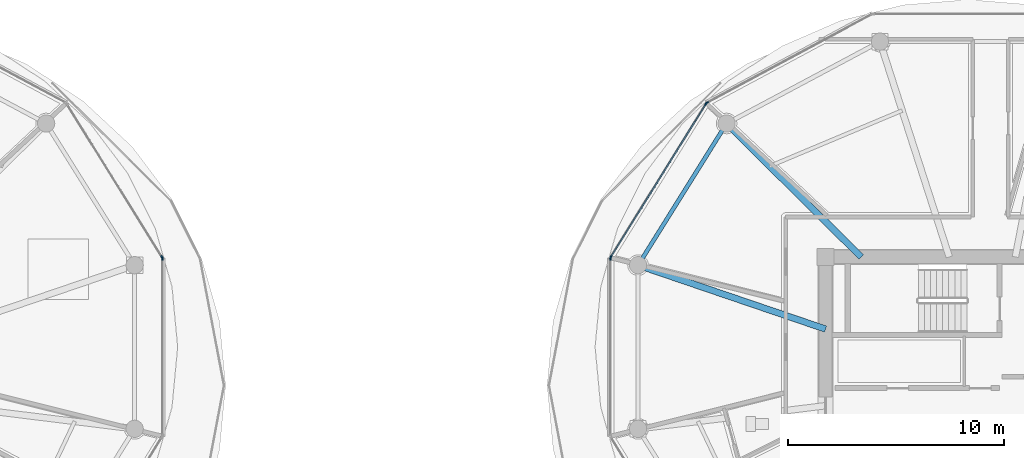
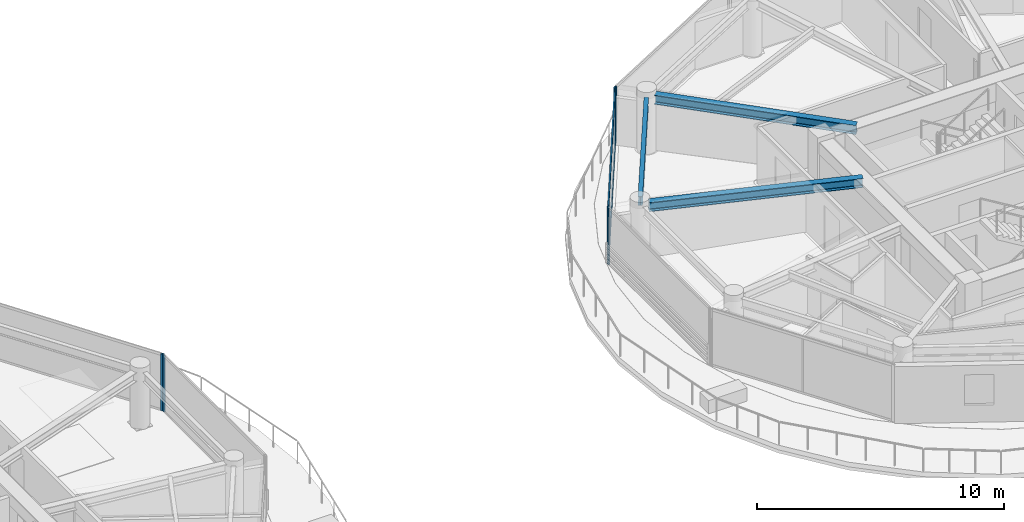
# One storey, part 7 of 28: 8 members, 3 beams, 5 elements without a shape of their own.
"""IFC4 building model written with IfcOpenShell, lengths in metres."""

from ifc_helpers import new_model, si_unit, direction, frame, origin, origin_2d, place, context, subcontext, project, spatial, rectangle, i_section, extrude, source, transform, mapped, material, layer, layer_set, material_profile, profile_set, type_object, type_shapes, element, aggregate, save


model = new_model("IFC4")

# Units and contexts
model_context = context("Model", 3, precision=1e-05, world=origin(), true_north=direction((0.0, 1.0)))
body_context = subcontext(model_context, "Body", "Model", "MODEL_VIEW")
ifc_project = project(units=[si_unit("LENGTHUNIT", "METRE"), si_unit("AREAUNIT", "SQUARE_METRE"), si_unit("VOLUMEUNIT", "CUBIC_METRE"), si_unit("PLANEANGLEUNIT", "RADIAN"), si_unit("MASSUNIT", "GRAM", prefix="KILO")], contexts=[model_context])

# Site, building, storey
site_placement = place(None, origin())
site = spatial("IfcSite", under=ifc_project, at=site_placement, CompositionType="ELEMENT")
building_placement = place(site_placement, origin())
building = spatial("IfcBuilding", under=site, at=building_placement, Name="Norrkilde Senior Care Towers", CompositionType="ELEMENT")
storey_placement = place(building_placement, frame((0.0, 0.0, 134.300048828125)))
storey = spatial("IfcBuildingStorey", under=building, at=storey_placement, Name="L41", CompositionType="ELEMENT", Elevation=134.300048828125)

# Beams
ifc_material_1 = material(Name="Steel S355", Category="steel")
ifc_material_profile_1 = material_profile(ifc_material_1, i_section(OverallWidth=0.18994140625, OverallDepth=0.449951171875, WebThickness=0.009521484375, FlangeThickness=0.0146484375, FilletRadius=0.02099609375, at=origin_2d()), Name="IPE 450")
ifc_profile_set_1 = profile_set([ifc_material_profile_1], Name="Steel S355")
beam_type_1 = type_object("IfcBeamType", Name="Perimeter Ring Spandrel Z3 IPE450", PredefinedType="SPANDREL", material=ifc_profile_set_1)
shared_shape_1 = source(origin(), body_context, "Body", "SweptSolid", [
    extrude(i_section(OverallWidth=0.18994140625, OverallDepth=0.449951171875, WebThickness=0.009521484375, FlangeThickness=0.0146484375, FilletRadius=0.02099609375, at=origin_2d()), origin(), (0.0, 0.0, 1.0), 7.0234375),
])
type_shapes(beam_type_1, [shared_shape_1])
beam_1_placement = place(storey_placement, frame((15.57666015625, 11.8291015625, 2.5849609375), z_axis=(-0.529789577822, -0.848129119433, 0.0), x_axis=(0.848129119433, -0.529789577822, 0.0)))
element("IfcBeam", 1, at=beam_1_placement, inside=storey, type_object=beam_type_1, Name="L41 Drum E Perimeter Spandrel 05", PredefinedType="SPANDREL", context=body_context, shape_type="MappedRepresentation", body=[
    mapped(shared_shape_1, transform((0.0, 0.0, 0.0), x_axis=(1.0, 0.0, 0.0), y_axis=(0.0, 1.0, 0.0), z_axis=(0.0, 0.0, 1.0), scale=1.0)),
])
ifc_material_profile_2 = material_profile(ifc_material_1, i_section(OverallWidth=0.300048828125, OverallDepth=0.449951171875, WebThickness=0.013916015625, FlangeThickness=0.02587890625, FilletRadius=0.027099609375, at=origin_2d()), Name="HEB 450")
ifc_profile_set_2 = profile_set([ifc_material_profile_2], Name="Steel S355")
beam_type_2 = type_object("IfcBeamType", Name="Radial Floor Beam Z3 HEB450", PredefinedType="BEAM", material=ifc_profile_set_2)
shared_shape_2 = source(origin(), body_context, "Body", "SweptSolid", [
    extrude(i_section(OverallWidth=0.300048828125, OverallDepth=0.449951171875, WebThickness=0.013916015625, FlangeThickness=0.02587890625, FilletRadius=0.027099609375, at=origin_2d()), origin(), (0.0, 0.0, 1.0), 8.8154296875),
])
beam_2_placement = place(storey_placement, frame((20.35009765625, 2.607177734375, 2.5849609375), z_axis=(-0.946540556878, 0.322584832539, 0.0), x_axis=(-0.322584832539, -0.946540556878, 0.0)))
element("IfcBeam", 2, at=beam_2_placement, inside=storey, type_object=beam_type_2, Name="L41 Drum E Radial Floor Beam 06", PredefinedType="BEAM", context=body_context, shape_type="MappedRepresentation", body=[
    mapped(shared_shape_2, transform((0.0, 0.0, 0.0), x_axis=(1.0, 0.0, 0.0), y_axis=(0.0, 1.0, 0.0), z_axis=(0.0, 0.0, 1.0), scale=1.0)),
])
shared_shape_3 = source(origin(), body_context, "Body", "SweptSolid", [
    extrude(i_section(OverallWidth=0.300048828125, OverallDepth=0.449951171875, WebThickness=0.013916015625, FlangeThickness=0.02587890625, FilletRadius=0.027099609375, at=origin_2d()), origin(), (0.0, 0.0, 1.0), 8.421630859375),
])
type_shapes(beam_type_2, [shared_shape_2, shared_shape_3])
beam_3_placement = place(storey_placement, frame((22.001953125, 5.949951171875, 2.5849609375), z_axis=(-0.709956495972, 0.704245535184, 0.0), x_axis=(-0.704245535184, -0.709956495972, 0.0)))
element("IfcBeam", 3, at=beam_3_placement, inside=storey, type_object=beam_type_2, Name="L41 Drum E Radial Floor Beam 05", PredefinedType="BEAM", context=body_context, shape_type="MappedRepresentation", body=[
    mapped(shared_shape_3, transform((0.0, 0.0, 0.0), x_axis=(1.0, 0.0, 0.0), y_axis=(0.0, 1.0, 0.0), z_axis=(0.0, 0.0, 1.0), scale=1.0)),
])

# Curtain wall, member
ifc_material_2 = material(Name="Triple Low-E Insulated Glazing", Category="glass")
ifc_layer = layer(ifc_material_2, 0.18994140625)
ifc_layer_set = layer_set([ifc_layer], Name="Triple Low-E Insulated Glazing")
curtain_wall_type = type_object("IfcCurtainWallType", Name="CW4 Zone 3 Senior Residence Curtain Wall", PredefinedType="NOTDEFINED", material=ifc_layer_set)
curtain_wall_1_placement = place(storey_placement, origin())
curtain_wall_1 = element("IfcCurtainWall", 4, at=curtain_wall_1_placement, inside=storey, type_object=curtain_wall_type, Name="L41 Drum W Curtain Wall 00", PredefinedType="NOTDEFINED")
ifc_material_3 = material(Name="Anodised Aluminium", Category="aluminium")
ifc_material_profile_3 = material_profile(ifc_material_3, rectangle(XDim=0.06494140625, YDim=0.14990234375, at=origin_2d()), Name="ALU MULL 65x150")
ifc_profile_set_3 = profile_set([ifc_material_profile_3], Name="Anodised Aluminium")
member_type_1 = type_object("IfcMemberType", Name="Curtain Wall Mullion Z3-Z4 65x150", PredefinedType="MULLION", material=ifc_profile_set_3)
shared_shape_4 = source(origin(), body_context, "Body", "SweptSolid", [
    extrude(rectangle(XDim=0.06494140625, YDim=0.14990234375, at=origin_2d()), origin(), (0.0, 0.0, 1.0), 2.81005859375),
])
type_shapes(member_type_1, [shared_shape_4])
member_1_placement = place(storey_placement, frame((-10.3974609375, 5.93896484375, 0.0), z_axis=(0.0, 0.0, 1.0), x_axis=(0.84963405474, 0.52737270789, 0.0)))
member_1 = element("IfcMember", 5, at=member_1_placement, type_object=member_type_1, Name="CW-4 mullion 2", PredefinedType="MULLION", context=body_context, shape_type="MappedRepresentation", body=[
    mapped(shared_shape_4, transform((0.0, 0.0, 0.0), x_axis=(1.0, 0.0, 0.0), y_axis=(0.0, 1.0, 0.0), z_axis=(0.0, 0.0, 1.0), scale=1.0)),
])
aggregate(curtain_wall_1, [member_1])

curtain_wall_2_placement = place(storey_placement, origin())
curtain_wall_2 = element("IfcCurtainWall", 6, at=curtain_wall_2_placement, inside=storey, type_object=curtain_wall_type, Name="L41 Drum W Curtain Wall 11", PredefinedType="NOTDEFINED")
member_2_placement = place(storey_placement, frame((-10.38037109375, 5.878662109375, 0.0), z_axis=(0.0, 0.0, 1.0), x_axis=(1.0, 0.0, 0.0)))
member_2 = element("IfcMember", 7, at=member_2_placement, type_object=member_type_1, Name="CW-4 mullion 1", PredefinedType="MULLION", context=body_context, shape_type="MappedRepresentation", body=[
    mapped(shared_shape_4, transform((0.0, 0.0, 0.0), x_axis=(1.0, 0.0, 0.0), y_axis=(0.0, 1.0, 0.0), z_axis=(0.0, 0.0, 1.0), scale=1.0)),
])
aggregate(curtain_wall_2, [member_2])

curtain_wall_3_placement = place(storey_placement, origin())
curtain_wall_3 = element("IfcCurtainWall", 8, at=curtain_wall_3_placement, inside=storey, type_object=curtain_wall_type, Name="L41 Drum E Curtain Wall 03", PredefinedType="NOTDEFINED")
member_3_placement = place(storey_placement, frame((14.85546875, 13.09033203125, 0.0), z_axis=(0.0, 0.0, 1.0), x_axis=(-0.47311715104, 0.880999524059, 0.0)))
member_3 = element("IfcMember", 9, at=member_3_placement, type_object=member_type_1, Name="CW-4 mullion 1", PredefinedType="MULLION", context=body_context, shape_type="MappedRepresentation", body=[
    mapped(shared_shape_4, transform((0.0, 0.0, 0.0), x_axis=(1.0, 0.0, 0.0), y_axis=(0.0, 1.0, 0.0), z_axis=(0.0, 0.0, 1.0), scale=1.0)),
])
aggregate(curtain_wall_3, [member_3])

# Curtain wall, members
curtain_wall_4_placement = place(storey_placement, origin())
curtain_wall_4 = element("IfcCurtainWall", 10, at=curtain_wall_4_placement, inside=storey, type_object=curtain_wall_type, Name="L41 Drum E Curtain Wall 04", PredefinedType="NOTDEFINED")
member_4_placement = place(storey_placement, frame((10.3974609375, 5.93896484375, 0.0), z_axis=(0.0, 0.0, 1.0), x_axis=(-0.84963405474, 0.52737270789, 0.0)))
member_4 = element("IfcMember", 11, at=member_4_placement, type_object=member_type_1, Name="CW-4 mullion 1", PredefinedType="MULLION", context=body_context, shape_type="MappedRepresentation", body=[
    mapped(shared_shape_4, transform((0.0, 0.0, 0.0), x_axis=(1.0, 0.0, 0.0), y_axis=(0.0, 1.0, 0.0), z_axis=(0.0, 0.0, 1.0), scale=1.0)),
])
member_5_placement = place(storey_placement, frame((14.809814453125, 13.04736328125, 0.0), z_axis=(0.0, 0.0, 1.0), x_axis=(-0.84963405474, 0.52737270789, 0.0)))
member_5 = element("IfcMember", 12, at=member_5_placement, type_object=member_type_1, Name="CW-4 mullion 2", PredefinedType="MULLION", context=body_context, shape_type="MappedRepresentation", body=[
    mapped(shared_shape_4, transform((0.0, 0.0, 0.0), x_axis=(1.0, 0.0, 0.0), y_axis=(0.0, 1.0, 0.0), z_axis=(0.0, 0.0, 1.0), scale=1.0)),
])

# Curtain wall, member
curtain_wall_5_placement = place(storey_placement, origin())
curtain_wall_5 = element("IfcCurtainWall", 13, at=curtain_wall_5_placement, inside=storey, type_object=curtain_wall_type, Name="L41 Drum E Curtain Wall 05", PredefinedType="NOTDEFINED")
member_6_placement = place(storey_placement, frame((10.38037109375, 5.878662109375, 0.0), z_axis=(0.0, 0.0, 1.0), x_axis=(-1.0, 0.0, 0.0)))
member_6 = element("IfcMember", 14, at=member_6_placement, type_object=member_type_1, Name="CW-4 mullion 2", PredefinedType="MULLION", context=body_context, shape_type="MappedRepresentation", body=[
    mapped(shared_shape_4, transform((0.0, 0.0, 0.0), x_axis=(1.0, 0.0, 0.0), y_axis=(0.0, 1.0, 0.0), z_axis=(0.0, 0.0, 1.0), scale=1.0)),
])
aggregate(curtain_wall_5, [member_6])

# Member
ifc_material_profile_4 = material_profile(ifc_material_3, rectangle(XDim=0.06005859375, YDim=0.1201171875, at=origin_2d()), Name="ALU TRAN 60x120")
ifc_profile_set_4 = profile_set([ifc_material_profile_4], Name="Anodised Aluminium")
member_type_2 = type_object("IfcMemberType", Name="Curtain Wall Transom Typical 60x120", PredefinedType="USERDEFINED", material=ifc_profile_set_4)
shared_shape_5 = source(origin(), body_context, "Body", "SweptSolid", [
    extrude(rectangle(XDim=0.06005859375, YDim=0.1201171875, at=origin_2d()), origin(), (0.0, 0.0, 1.0), 8.301513671875),
])
type_shapes(member_type_2, [shared_shape_5])
member_7_placement = place(storey_placement, frame((10.414794921875, 5.966552734375, 0.030029296875), z_axis=(0.527368718394, 0.849636531029, 0.0), x_axis=(-0.849636531029, 0.527368718394, 0.0)))
member_7 = element("IfcMember", 15, at=member_7_placement, type_object=member_type_2, Name="CW-4 transom 1.1", ObjectType="TRANSOM", PredefinedType="USERDEFINED", context=body_context, shape_type="MappedRepresentation", body=[
    mapped(shared_shape_5, transform((0.0, 0.0, 0.0), x_axis=(1.0, 0.0, 0.0), y_axis=(0.0, 1.0, 0.0), z_axis=(0.0, 0.0, 1.0), scale=1.0)),
])

member_8_placement = place(storey_placement, frame((10.414794921875, 5.966552734375, 2.780029296875), z_axis=(0.527368718394, 0.849636531029, 0.0), x_axis=(-0.849636531029, 0.527368718394, 0.0)))
member_8 = element("IfcMember", 16, at=member_8_placement, type_object=member_type_2, Name="CW-4 transom 1.2", ObjectType="TRANSOM", PredefinedType="USERDEFINED", context=body_context, shape_type="MappedRepresentation", body=[
    mapped(shared_shape_5, transform((0.0, 0.0, 0.0), x_axis=(1.0, 0.0, 0.0), y_axis=(0.0, 1.0, 0.0), z_axis=(0.0, 0.0, 1.0), scale=1.0)),
])

aggregate(curtain_wall_4, [member_4, member_5, member_7, member_8])

save(model, "model.ifc")
